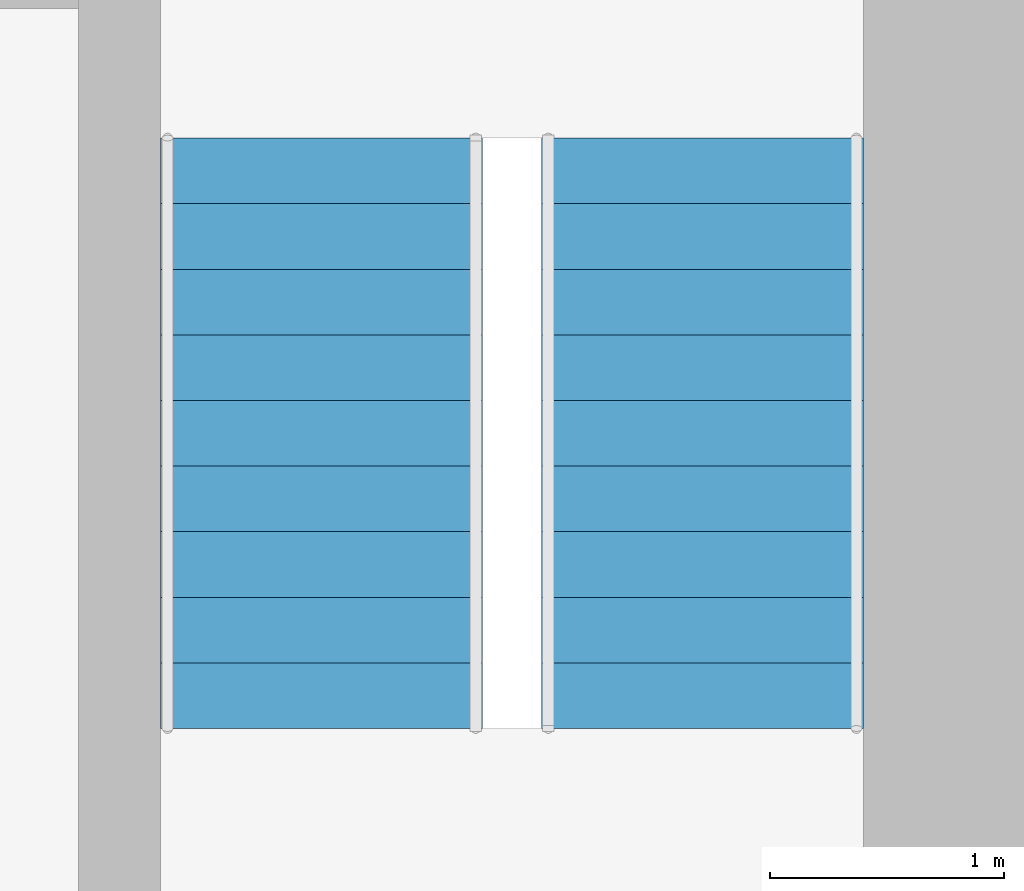
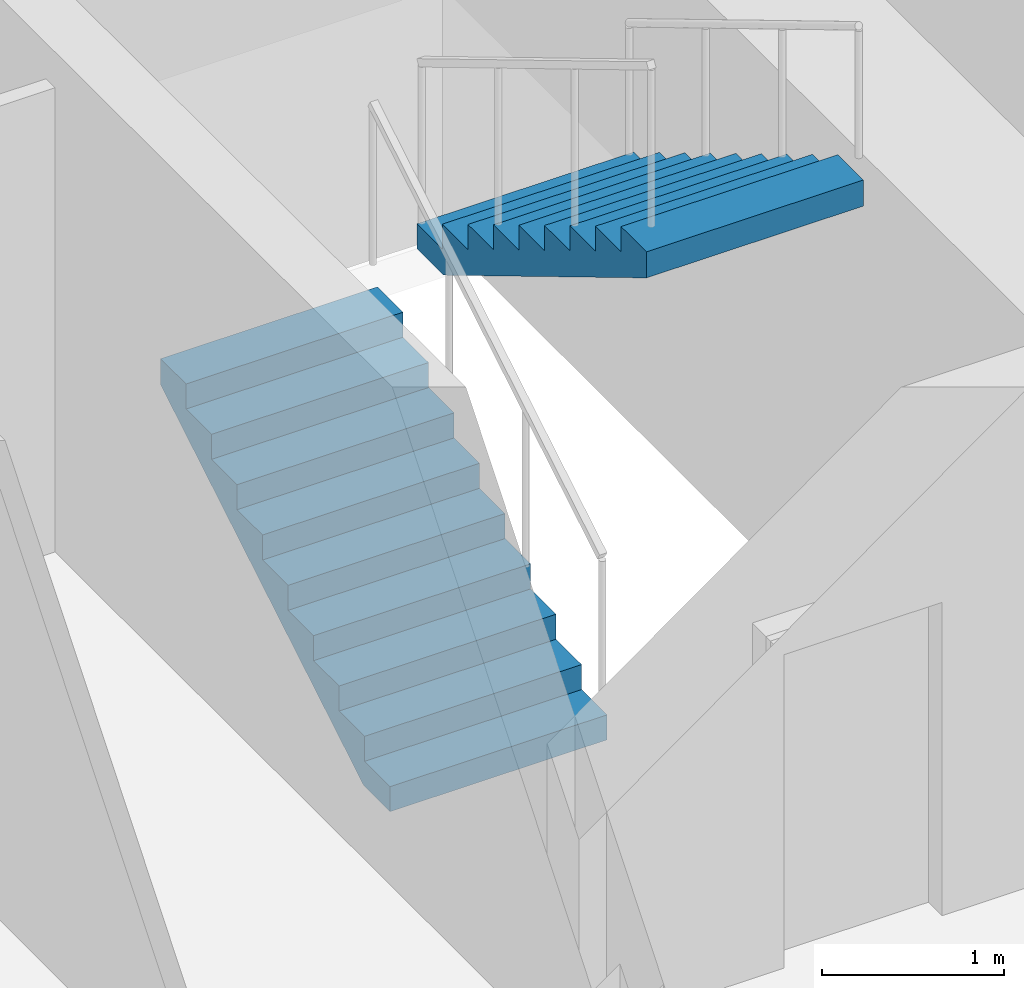
# One storey, part 23 of 24: 2 stair flights, 1 element without a shape of its own.
"""IFC4 building model written with IfcOpenShell, lengths in metres."""

from ifc_helpers import new_model, si_unit, direction, frame, origin, place, context, subcontext, project, spatial, polyline, outline, extrude, material, type_object, element, aggregate, save


model = new_model("IFC4")

# Units and contexts
model_context = context("Model", 3, precision=1e-05, world=origin(), true_north=direction((0.0, 1.0)))
body_context = subcontext(model_context, "Body", "Model", "MODEL_VIEW")
ifc_project = project(units=[si_unit("LENGTHUNIT", "METRE"), si_unit("AREAUNIT", "SQUARE_METRE"), si_unit("VOLUMEUNIT", "CUBIC_METRE"), si_unit("PLANEANGLEUNIT", "RADIAN"), si_unit("MASSUNIT", "GRAM", prefix="KILO")], contexts=[model_context])

# Site, building, storey
site_placement = place(None, origin())
site = spatial("IfcSite", under=ifc_project, at=site_placement, CompositionType="ELEMENT")
building_placement = place(site_placement, origin())
building = spatial("IfcBuilding", under=site, at=building_placement, Name="Jalousie Tower", CompositionType="ELEMENT")
storey_placement = place(building_placement, frame((0.0, 0.0, 135.0)))
storey = spatial("IfcBuildingStorey", under=building, at=storey_placement, Name="L37", CompositionType="ELEMENT", Elevation=135.0)

# Stair, stair flights
ifc_material_1 = material(Name="Concrete f'c 40 MPa", Category="concrete")
stair_type = type_object("IfcStairType", Name="EXIT STAIR", PredefinedType="HALF_TURN_STAIR", material=ifc_material_1)
stair_placement = place(storey_placement, origin())
stair = element("IfcStair", 1, at=stair_placement, inside=storey, type_object=stair_type, Name="Exit stair B L37", PredefinedType="HALF_TURN_STAIR")
ifc_material_2 = material(Name="Concrete f'c 40 MPa", Category="concrete")
stair_flight_type = type_object("IfcStairFlightType", Name="STAIR FLIGHT", PredefinedType="STRAIGHT", material=ifc_material_2)
stair_flight_1_placement = place(storey_placement, frame((41.0625, 21.50244140625, 0.0), z_axis=(0.0, 0.0, 1.0), x_axis=(0.0, 1.0, 0.0)))
stair_flight_1 = element("IfcStairFlight", 2, at=stair_flight_1_placement, type_object=stair_flight_type, Name="ST-B flight 1", NumberOfRisers=10, NumberOfTreads=9, PredefinedType="STRAIGHT", RiserHeight=0.1675, TreadLength=0.28, context=body_context, shape_type="SweptSolid", body=[
    extrude(outline(polyline([(0.0, 0.0), (0.0, 0.16748046875), (0.280029296875, 0.16748046875), (0.280029296875, 0.3349609375), (0.56005859375, 0.3349609375), (0.56005859375, 0.50244140625), (0.840087890625, 0.50244140625), (0.840087890625, 0.669921875), (1.1201171875, 0.669921875), (1.1201171875, 0.83740234375), (1.39990234375, 0.83740234375), (1.39990234375, 1.0048828125), (1.679931640625, 1.0048828125), (1.679931640625, 1.172607421875), (1.9599609375, 1.172607421875), (1.9599609375, 1.340087890625), (2.239990234375, 1.340087890625), (2.239990234375, 1.507568359375), (2.52001953125, 1.507568359375), (2.52001953125, 1.675048828125), (2.52001953125, 1.332763671875), (0.2919921875, 0.0), (0.0, 0.0)])), frame((0.0, 0.6875, 0.0), z_axis=(0.0, -1.0, 0.0), x_axis=(1.0, 0.0, 0.0)), (0.0, 0.0, 1.0), 1.375),
])
stair_flight_2_placement = place(storey_placement, frame((42.6875, 24.0224609375, 1.675048828125), z_axis=(0.0, 0.0, 1.0), x_axis=(0.0, -1.0, 0.0)))
stair_flight_2 = element("IfcStairFlight", 3, at=stair_flight_2_placement, type_object=stair_flight_type, Name="ST-B flight 2", NumberOfRisers=10, NumberOfTreads=9, PredefinedType="STRAIGHT", RiserHeight=0.1675, TreadLength=0.28, context=body_context, shape_type="SweptSolid", body=[
    extrude(outline(polyline([(0.0, 0.0), (0.0, 0.16748046875), (0.280029296875, 0.16748046875), (0.280029296875, 0.3349609375), (0.56005859375, 0.3349609375), (0.56005859375, 0.50244140625), (0.840087890625, 0.50244140625), (0.840087890625, 0.669921875), (1.1201171875, 0.669921875), (1.1201171875, 0.83740234375), (1.39990234375, 0.83740234375), (1.39990234375, 1.0048828125), (1.679931640625, 1.0048828125), (1.679931640625, 1.172607421875), (1.9599609375, 1.172607421875), (1.9599609375, 1.340087890625), (2.239990234375, 1.340087890625), (2.239990234375, 1.507568359375), (2.52001953125, 1.507568359375), (2.52001953125, 1.675048828125), (2.52001953125, 1.332763671875), (0.2919921875, 0.0), (0.0, 0.0)])), frame((0.0, 0.6875, 0.0), z_axis=(0.0, -1.0, 0.0), x_axis=(1.0, 0.0, 0.0)), (0.0, 0.0, 1.0), 1.375),
])
aggregate(stair, [stair_flight_1, stair_flight_2])

save(model, "model.ifc")
